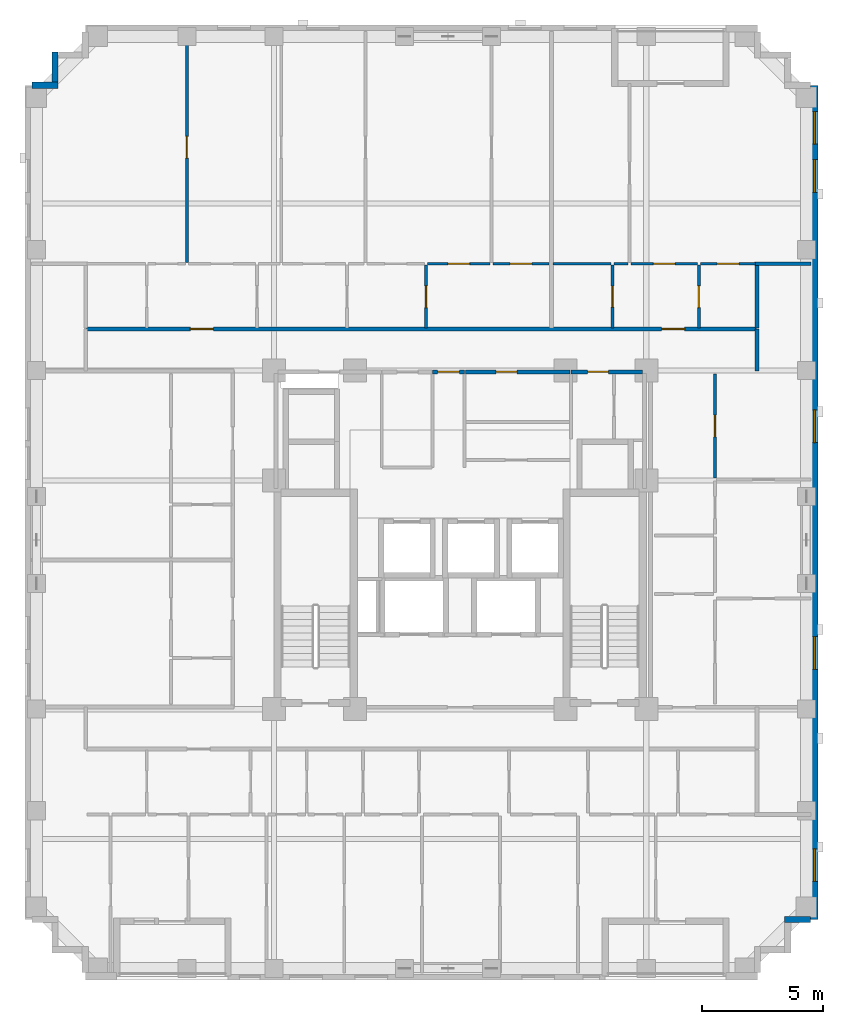
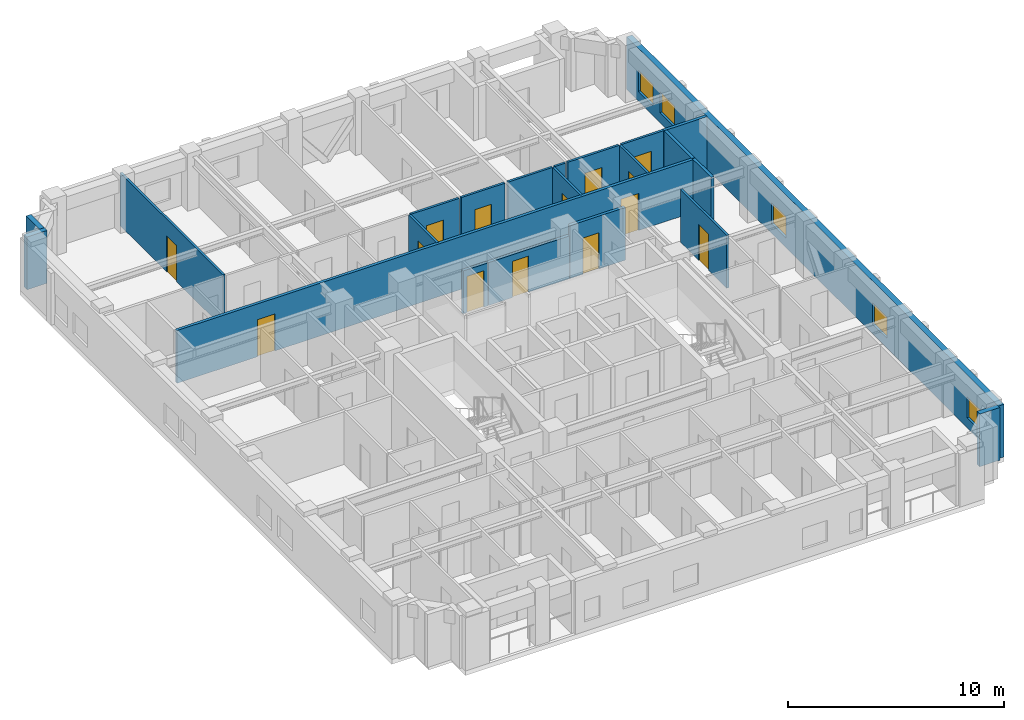
# One storey, part 7 of 12: 22 walls, 14 doors, 5 windows, 19 openings.
"""IFC4 building model written with IfcOpenShell, lengths in metres."""

import ifcopenshell
import ifcopenshell.guid

model = None  # the IFC model being written
_history = None  # IfcOwnerHistory: only IFC2X3 demands one
_inside = {}  # id of a spatial element -> (the spatial element, [elements in it])
_under = {}  # id of a project, library or spatial element -> (it, [spatial elements below it])
_declared = {}  # id of a project -> (the project, [libraries it declares])
_typed = {}  # id of a type object -> (the type object, [elements of that type])
_made_of = {}  # id of a material, layer set ... -> (it, [elements and type objects made of it])


def new_model(schema):
    """Start an empty IFC model of exactly this schema.

    Asked for "IFC4X3", IfcOpenShell would pick the latest addendum, in which some entities
    have other attributes; the version numbers below select the first issue.
    IFC2X3 requires an IfcOwnerHistory on every rooted entity: one is made here for all.
    """
    global model, _history
    if schema == "IFC4X3":
        model = ifcopenshell.file(schema_version=(4, 3, 0, 0))
    else:
        model = ifcopenshell.file(schema=schema)
    _inside.clear()
    _under.clear()
    _declared.clear()
    _typed.clear()
    _made_of.clear()
    _history = None
    if model.schema == "IFC2X3":
        org = make("IfcOrganization", Name="unknown")
        user = make(
            "IfcPersonAndOrganization",
            ThePerson=make("IfcPerson", FamilyName="unknown"),
            TheOrganization=org,
        )
        app = make(
            "IfcApplication",
            ApplicationDeveloper=org,
            Version="unknown",
            ApplicationFullName="unknown",
            ApplicationIdentifier="unknown",
        )
        _history = make(
            "IfcOwnerHistory",
            OwningUser=user,
            OwningApplication=app,
            ChangeAction="ADDED",
            CreationDate=0,
        )
    return model


def make(cls, **values):
    """One entity of the class cls with the attributes given. An attribute that is None is left unset."""
    return model.create_entity(
        cls, **{name: value for name, value in values.items() if value is not None}
    )


def rooted(cls, **values):
    """An entity with a GlobalId (a new one), such as an element, a storey or a relation."""
    return make(cls, GlobalId=ifcopenshell.guid.new(), OwnerHistory=_history, **values)


def si_unit(unit_type, name, prefix=None):
    """IfcSIUnit, for example si_unit("LENGTHUNIT", "METRE", prefix="MILLI")."""
    return make("IfcSIUnit", UnitType=unit_type, Prefix=prefix, Name=name)


def derived_unit(unit_type, elements):
    """IfcDerivedUnit: a product of units, each with its exponent."""
    return make(
        "IfcDerivedUnit",
        Elements=[
            make("IfcDerivedUnitElement", Unit=unit, Exponent=power)
            for unit, power in elements
        ],
        UnitType=unit_type,
    )


def assignment(units):
    """IfcUnitAssignment: the units of a project."""
    return None if units is None else make("IfcUnitAssignment", Units=units)


def point(xyz):
    """IfcCartesianPoint."""
    return None if xyz is None else make("IfcCartesianPoint", Coordinates=xyz)


def direction(xyz):
    """IfcDirection."""
    return None if xyz is None else make("IfcDirection", DirectionRatios=xyz)


def frame(location, z_axis=None, x_axis=None):
    """IfcAxis2Placement3D, a coordinate frame: its origin and axes. An axis left out is left unset."""
    return make(
        "IfcAxis2Placement3D",
        Location=point(location),
        Axis=direction(z_axis),
        RefDirection=direction(x_axis),
    )


def frame_2d(location, x_axis=None):
    """IfcAxis2Placement2D, a coordinate frame in the plane: its origin and x axis."""
    return make(
        "IfcAxis2Placement2D", Location=point(location), RefDirection=direction(x_axis)
    )


def origin():
    """The frame at (0, 0, 0) with its axes left unset."""
    return frame((0.0, 0.0, 0.0))


def place(relative_to, where):
    """IfcLocalPlacement: puts the frame where relative to a parent placement (None: the world)."""
    return make(
        "IfcLocalPlacement", PlacementRelTo=relative_to, RelativePlacement=where
    )


def context(
    kind, dimensions, precision=None, world=None, true_north=None, identifier=None
):
    """IfcGeometricRepresentationContext, for example the 3D "Model" context."""
    return make(
        "IfcGeometricRepresentationContext",
        ContextIdentifier=identifier,
        ContextType=kind,
        CoordinateSpaceDimension=dimensions,
        Precision=precision,
        WorldCoordinateSystem=world,
        TrueNorth=true_north,
    )


def subcontext(parent, identifier, kind, view, scale=None):
    """IfcGeometricRepresentationSubContext, for example "Body" below "Model"."""
    return make(
        "IfcGeometricRepresentationSubContext",
        ContextIdentifier=identifier,
        ContextType=kind,
        ParentContext=parent,
        TargetScale=scale,
        TargetView=view,
    )


def project(units=None, contexts=None):
    """IfcProject with its units and contexts."""
    return rooted(
        "IfcProject",
        Name="project",
        RepresentationContexts=contexts,
        UnitsInContext=assignment(units),
    )


def spatial(cls, under=None, at=None, **own):
    """A site, building, storey or space (cls), placed at a placement, below another one or the project."""
    s = rooted(cls, ObjectPlacement=at, **own)
    if under is not None:
        _under.setdefault(under.id(), (under, []))[1].append(s)
    return s


def profile(cls, at=None, kind="AREA", **sizes):
    """A parametric profile (cls). Its sizes go by their IFC names, for example OverallWidth=200.0."""
    return make(cls, ProfileType=kind, Position=at, **sizes)


def rectangle(**sizes):
    """IfcRectangleProfileDef."""
    return profile("IfcRectangleProfileDef", **sizes)


def extrude(swept, where, along, depth):
    """IfcExtrudedAreaSolid: the profile swept, set in the frame where, extruded along a direction by depth."""
    return make(
        "IfcExtrudedAreaSolid",
        SweptArea=swept,
        Position=where,
        ExtrudedDirection=direction(along),
        Depth=depth,
    )


def shape(context_of_items, identifier, shape_type, items):
    """IfcShapeRepresentation: the items that make up one representation, for example the "Body"."""
    return make(
        "IfcShapeRepresentation",
        ContextOfItems=context_of_items,
        RepresentationIdentifier=identifier,
        RepresentationType=shape_type,
        Items=items,
    )


def material(Name=None, Category=None):
    """IfcMaterial."""
    return make("IfcMaterial", Name=Name, Category=Category)


def layer(
    of_material, thickness, ventilated=None, Name=None, Category=None, Priority=None
):
    """IfcMaterialLayer: one layer of a wall or slab, of a material (None: an air gap)."""
    return make(
        "IfcMaterialLayer",
        Material=of_material,
        LayerThickness=thickness,
        IsVentilated=ventilated,
        Name=Name,
        Category=Category,
        Priority=Priority,
    )


def layer_set(layers, Name=None):
    """IfcMaterialLayerSet."""
    return make("IfcMaterialLayerSet", MaterialLayers=layers, LayerSetName=Name)


def made_of(thing, what):
    """Note that an element or type object is made of a material, layer set ...; save() writes the relation."""
    if what is not None:
        _made_of.setdefault(what.id(), (what, []))[1].append(thing)
    return thing


def type_object(cls, material=None, **own):
    """A type object (cls), such as IfcWallType, which elements share."""
    return made_of(rooted(cls, **own), material)


def element(
    cls,
    number,
    at=None,
    inside=None,
    cuts=None,
    type_object=None,
    material=None,
    context=None,
    identifier="Body",
    shape_type=None,
    held_by="IfcProductDefinitionShape",
    body=None,
    shapes=None,
    **own,
):
    """One element of the class cls, such as IfcWall. Its Tag is "e" and its number.

    at: its placement. inside: the storey or other place that contains it. cuts: it is an
    opening in that element (IfcRelVoidsElement). A single representation is given by context,
    identifier, shape_type and body (its items); several are given by shapes. held_by: the class
    of the entity that holds the representations. save() writes the other relations.
    """
    e = rooted(cls, Tag="e%d" % number, ObjectPlacement=at, **own)
    if body is not None:
        shapes = [shape(context, identifier, shape_type, body)]
    if shapes is not None:
        e.Representation = make(held_by, Representations=shapes)
    if inside is not None:
        _inside.setdefault(inside.id(), (inside, []))[1].append(e)
    if cuts is not None:
        rooted(
            "IfcRelVoidsElement", RelatingBuildingElement=cuts, RelatedOpeningElement=e
        )
    if type_object is not None:
        _typed.setdefault(type_object.id(), (type_object, []))[1].append(e)
    return made_of(e, material)


def fill(opening, filler):
    """IfcRelFillsElement: the door or window that sits in an opening."""
    return rooted(
        "IfcRelFillsElement",
        RelatingOpeningElement=opening,
        RelatedBuildingElement=filler,
    )


def aggregate(whole, parts):
    """IfcRelAggregates: a whole, such as a stair, and the parts it consists of."""
    return rooted("IfcRelAggregates", RelatingObject=whole, RelatedObjects=parts)


def save(model, path):
    """Write the relations noted so far, then the file.

    IfcRelAggregates (storeys below a building ...), IfcRelContainedInSpatialStructure (elements
    in a storey), IfcRelDefinesByType, IfcRelAssociatesMaterial and IfcRelDeclares: one each for
    every whole, place, type object, material and project.
    """
    for whole, parts in _under.values():
        aggregate(whole, parts)
    for where, things in _inside.values():
        rooted(
            "IfcRelContainedInSpatialStructure",
            RelatedElements=things,
            RelatingStructure=where,
        )
    for kind, things in _typed.values():
        rooted("IfcRelDefinesByType", RelatedObjects=things, RelatingType=kind)
    for what, things in _made_of.values():
        rooted("IfcRelAssociatesMaterial", RelatedObjects=things, RelatingMaterial=what)
    for by, libraries in _declared.values():
        rooted("IfcRelDeclares", RelatingContext=by, RelatedDefinitions=libraries)
    model.write(path)


model = new_model("IFC4")

# Units and contexts
model_context = context("Model", 3, precision=1e-05, world=origin(), true_north=direction((0.0, 1.0)))
body_context = subcontext(model_context, "Body", "Model", "MODEL_VIEW")
ifc_project = project(units=[si_unit("LENGTHUNIT", "METRE"), si_unit("AREAUNIT", "SQUARE_METRE"), si_unit("VOLUMEUNIT", "CUBIC_METRE"), si_unit("PLANEANGLEUNIT", "RADIAN"), si_unit("MASSUNIT", "GRAM", prefix="KILO"), derived_unit("THERMALTRANSMITTANCEUNIT", [(si_unit("MASSUNIT", "GRAM", prefix="KILO"), 1), (si_unit("TIMEUNIT", "SECOND"), -3), (si_unit("THERMODYNAMICTEMPERATUREUNIT", "KELVIN"), -1)])], contexts=[model_context])

# Site, building, storey
site_placement = place(None, origin())
site = spatial("IfcSite", under=ifc_project, at=site_placement, CompositionType="ELEMENT")
building_placement = place(site_placement, origin())
building = spatial("IfcBuilding", under=site, at=building_placement, Name="Korrvale Station Residences", CompositionType="ELEMENT")
storey_placement = place(building_placement, frame((0.0, 0.0, 130.89990234375)))
storey = spatial("IfcBuildingStorey", under=building, at=storey_placement, Name="L37", CompositionType="ELEMENT", Elevation=130.89990234375)

# Walls
ifc_material_1 = material(Name="Precast concrete C45/55", Category="concrete")
ifc_layer_1 = layer(ifc_material_1, 0.260009765625, Name="Precast concrete C45/55")
ifc_layer_set_1 = layer_set([ifc_layer_1], Name="Precast concrete C45/55")
wall_type_1 = type_object("IfcWallType", Name="WAL-EXT-LOG260", PredefinedType="SOLIDWALL", material=ifc_layer_set_1)
wall_1_placement = place(storey_placement, frame((7.802001953125, 40.800048828125, 0.0), z_axis=(0.0, 0.0, 1.0), x_axis=(1.0, 0.0, 0.0)))
element("IfcWall", 1, at=wall_1_placement, inside=storey, type_object=wall_type_1, Name="L37 Serrated Corner Precast Step NW-1", PredefinedType="SOLIDWALL", context=body_context, shape_type="SweptSolid", body=[
    extrude(rectangle(XDim=1.077880859375, YDim=0.260009765625, at=frame_2d((0.5390625, 0.0))), origin(), (0.0, 0.0, 1.0), 2.989990234375),
])
wall_2_placement = place(storey_placement, frame((8.75, 40.931884765625, 0.0), z_axis=(0.0, 0.0, 1.0), x_axis=(0.0, 1.0, 0.0)))
element("IfcWall", 2, at=wall_2_placement, inside=storey, type_object=wall_type_1, Name="L37 Serrated Corner Precast Step NW-2", PredefinedType="SOLIDWALL", context=body_context, shape_type="SweptSolid", body=[
    extrude(rectangle(XDim=1.248046875, YDim=0.260009765625, at=frame_2d((0.6240234375, 0.0))), origin(), (0.0, 0.0, 1.0), 2.989990234375),
])
wall_3_placement = place(storey_placement, frame((39.998046875, 6.300048828125, 0.0), z_axis=(0.0, 0.0, 1.0), x_axis=(-1.0, 0.0, 0.0)))
element("IfcWall", 3, at=wall_3_placement, inside=storey, type_object=wall_type_1, Name="L37 Serrated Corner Precast Step SE-1", PredefinedType="SOLIDWALL", context=body_context, shape_type="SweptSolid", body=[
    extrude(rectangle(XDim=1.078125, YDim=0.260009765625, at=frame_2d((0.5390625, 0.0))), origin(), (0.0, 0.0, 1.0), 2.989990234375),
])

# Wall, openings, windows
ifc_layer_2 = layer(ifc_material_1, 0.300048828125, Name="Precast concrete C45/55")
ifc_layer_set_2 = layer_set([ifc_layer_2], Name="Precast concrete C45/55")
wall_type_2 = type_object("IfcWallType", Name="WAL-EXT-PC300", PredefinedType="SOLIDWALL", material=ifc_layer_set_2)
wall_4_placement = place(storey_placement, frame((40.14990234375, 40.800048828125, 0.0), z_axis=(0.0, 0.0, 1.0), x_axis=(0.0, -1.0, 0.0)))
wall_4 = element("IfcWall", 4, at=wall_4_placement, inside=storey, type_object=wall_type_2, Name="L37 East Exterior Precast Wall 1", PredefinedType="SOLIDWALL", context=body_context, shape_type="SweptSolid", body=[
    extrude(rectangle(XDim=34.5, YDim=0.300048828125, at=frame_2d((17.25, 0.0))), origin(), (0.0, 0.0, 1.0), 2.989990234375),
])
opening_1_placement = place(wall_4_placement, frame((31.574951171875, 0.0, 0.550048828125)))
opening_1 = element("IfcOpeningElement", 5, at=opening_1_placement, cuts=wall_4, Name="Opening W-10", PredefinedType="OPENING", context=body_context, shape_type="SweptSolid", body=[
    extrude(rectangle(XDim=1.35009765625, YDim=1.199951171875, at=frame_2d((0.675048828125, 0.60009765625))), frame((0.0, 0.16015625, 0.0), z_axis=(0.0, -1.0, 0.0), x_axis=(1.0, 0.0, 0.0)), (0.0, 0.0, 1.0), 0.320068359375),
])
opening_2_placement = place(wall_4_placement, frame((3.074951171875, 0.0, 0.550048828125)))
opening_2 = element("IfcOpeningElement", 6, at=opening_2_placement, cuts=wall_4, Name="Opening W-10", PredefinedType="OPENING", context=body_context, shape_type="SweptSolid", body=[
    extrude(rectangle(XDim=1.35009765625, YDim=1.199951171875, at=frame_2d((0.675048828125, 0.60009765625))), frame((0.0, 0.16015625, 0.0), z_axis=(0.0, -1.0, 0.0), x_axis=(1.0, 0.0, 0.0)), (0.0, 0.0, 1.0), 0.320068359375),
])
opening_3_placement = place(wall_4_placement, frame((1.0849609375, 0.0, 0.550048828125)))
opening_3 = element("IfcOpeningElement", 7, at=opening_3_placement, cuts=wall_4, Name="Opening W-10", PredefinedType="OPENING", context=body_context, shape_type="SweptSolid", body=[
    extrude(rectangle(XDim=1.35009765625, YDim=1.199951171875, at=frame_2d((0.675048828125, 0.60009765625))), frame((0.0, 0.16015625, 0.0), z_axis=(0.0, -1.0, 0.0), x_axis=(1.0, 0.0, 0.0)), (0.0, 0.0, 1.0), 0.320068359375),
])
opening_4_placement = place(wall_4_placement, frame((22.800048828125, 0.0, 0.550048828125)))
opening_4 = element("IfcOpeningElement", 8, at=opening_4_placement, cuts=wall_4, Name="Opening W-10", PredefinedType="OPENING", context=body_context, shape_type="SweptSolid", body=[
    extrude(rectangle(XDim=1.35009765625, YDim=1.199951171875, at=frame_2d((0.675048828125, 0.60009765625))), frame((0.0, 0.16015625, 0.0), z_axis=(0.0, -1.0, 0.0), x_axis=(1.0, 0.0, 0.0)), (0.0, 0.0, 1.0), 0.320068359375),
])
opening_5_placement = place(wall_4_placement, frame((13.425048828125, 0.0, 0.550048828125)))
opening_5 = element("IfcOpeningElement", 9, at=opening_5_placement, cuts=wall_4, Name="Opening W-10", PredefinedType="OPENING", context=body_context, shape_type="SweptSolid", body=[
    extrude(rectangle(XDim=1.35009765625, YDim=1.199951171875, at=frame_2d((0.675048828125, 0.60009765625))), frame((0.0, 0.16015625, 0.0), z_axis=(0.0, -1.0, 0.0), x_axis=(1.0, 0.0, 0.0)), (0.0, 0.0, 1.0), 0.320068359375),
])
ifc_material_2 = material(Name="Thermally broken aluminium frame with triple low-e glazing", Category="aluminium")
window_type = type_object("IfcWindowType", Name="WIN-W10", PartitioningType="SINGLE_PANEL", PredefinedType="WINDOW", material=ifc_material_2)
window_1_placement = place(opening_1_placement, origin())
window_1 = element("IfcWindow", 10, at=window_1_placement, inside=storey, type_object=window_type, Name="L37 Punched Window 08", OverallHeight=1.199951171875, OverallWidth=1.35009765625, PartitioningType="SINGLE_PANEL", PredefinedType="WINDOW", context=body_context, shape_type="SweptSolid", body=[
    extrude(rectangle(XDim=1.35009765625, YDim=1.199951171875, at=frame_2d((0.675048828125, 0.60009765625))), frame((0.0, 0.030029296875, 0.0), z_axis=(0.0, -1.0, 0.0), x_axis=(1.0, 0.0, 0.0)), (0.0, 0.0, 1.0), 0.06005859375),
])
fill(opening_1, window_1)
window_2_placement = place(opening_2_placement, origin())
window_2 = element("IfcWindow", 11, at=window_2_placement, inside=storey, type_object=window_type, Name="L37 Punched Window 15", OverallHeight=1.199951171875, OverallWidth=1.35009765625, PartitioningType="SINGLE_PANEL", PredefinedType="WINDOW", context=body_context, shape_type="SweptSolid", body=[
    extrude(rectangle(XDim=1.35009765625, YDim=1.199951171875, at=frame_2d((0.675048828125, 0.60009765625))), frame((0.0, 0.030029296875, 0.0), z_axis=(0.0, -1.0, 0.0), x_axis=(1.0, 0.0, 0.0)), (0.0, 0.0, 1.0), 0.06005859375),
])
fill(opening_2, window_2)
window_3_placement = place(opening_3_placement, origin())
window_3 = element("IfcWindow", 12, at=window_3_placement, inside=storey, type_object=window_type, Name="L37 Punched Window 16", OverallHeight=1.199951171875, OverallWidth=1.35009765625, PartitioningType="SINGLE_PANEL", PredefinedType="WINDOW", context=body_context, shape_type="SweptSolid", body=[
    extrude(rectangle(XDim=1.35009765625, YDim=1.199951171875, at=frame_2d((0.675048828125, 0.60009765625))), frame((0.0, 0.030029296875, 0.0), z_axis=(0.0, -1.0, 0.0), x_axis=(1.0, 0.0, 0.0)), (0.0, 0.0, 1.0), 0.06005859375),
])
fill(opening_3, window_3)
window_4_placement = place(opening_4_placement, origin())
window_4 = element("IfcWindow", 13, at=window_4_placement, inside=storey, type_object=window_type, Name="L37 Punched Window 21", OverallHeight=1.199951171875, OverallWidth=1.35009765625, PartitioningType="SINGLE_PANEL", PredefinedType="WINDOW", context=body_context, shape_type="SweptSolid", body=[
    extrude(rectangle(XDim=1.35009765625, YDim=1.199951171875, at=frame_2d((0.675048828125, 0.60009765625))), frame((0.0, 0.030029296875, 0.0), z_axis=(0.0, -1.0, 0.0), x_axis=(1.0, 0.0, 0.0)), (0.0, 0.0, 1.0), 0.06005859375),
])
fill(opening_4, window_4)
window_5_placement = place(opening_5_placement, origin())
window_5 = element("IfcWindow", 14, at=window_5_placement, inside=storey, type_object=window_type, Name="L37 Punched Window 22", OverallHeight=1.199951171875, OverallWidth=1.35009765625, PartitioningType="SINGLE_PANEL", PredefinedType="WINDOW", context=body_context, shape_type="SweptSolid", body=[
    extrude(rectangle(XDim=1.35009765625, YDim=1.199951171875, at=frame_2d((0.675048828125, 0.60009765625))), frame((0.0, 0.030029296875, 0.0), z_axis=(0.0, -1.0, 0.0), x_axis=(1.0, 0.0, 0.0)), (0.0, 0.0, 1.0), 0.06005859375),
])
fill(opening_5, window_5)

# Wall, opening, door
ifc_material_3 = material(Name="Acoustic steel-stud gypsum board partition", Category="steel")
ifc_layer_3 = layer(ifc_material_3, 0.1201171875, Name="Acoustic steel-stud gypsum board partition")
ifc_layer_set_3 = layer_set([ifc_layer_3], Name="Acoustic steel-stud gypsum board partition")
wall_type_3 = type_object("IfcWallType", Name="WAL-PART-125", PredefinedType="PARTITIONING", material=ifc_layer_set_3)
wall_5_placement = place(storey_placement, frame((24.090087890625, 30.760009765625, 0.0), z_axis=(0.0, 0.0, 1.0), x_axis=(0.0, 1.0, 0.0)))
wall_5 = element("IfcWall", 15, at=wall_5_placement, inside=storey, type_object=wall_type_3, Name="L37 Suite Partition U02-V34", PredefinedType="PARTITIONING", context=body_context, shape_type="SweptSolid", body=[
    extrude(rectangle(XDim=2.60009765625, YDim=0.1201171875, at=frame_2d((1.300048828125, 0.0))), origin(), (0.0, 0.0, 1.0), 2.989990234375),
])
opening_6_placement = place(wall_5_placement, frame((0.85009765625, 0.0, 0.0)))
opening_6 = element("IfcOpeningElement", 16, at=opening_6_placement, cuts=wall_5, Name="Opening DI-900", PredefinedType="OPENING", context=body_context, shape_type="SweptSolid", body=[
    extrude(rectangle(XDim=0.89990234375, YDim=2.050048828125, at=frame_2d((0.449951171875, 1.02490234375))), frame((0.0, 0.070068359375, 0.0), z_axis=(0.0, -1.0, 0.0), x_axis=(1.0, 0.0, 0.0)), (0.0, 0.0, 1.0), 0.14013671875),
])
ifc_material_4 = material(Name="Painted solid-core timber interior room door", Category="wood")
door_type_1 = type_object("IfcDoorType", Name="DR-INT-900", OperationType="NOTDEFINED", PredefinedType="DOOR", material=ifc_material_4)
door_1_placement = place(opening_6_placement, origin())
door_1 = element("IfcDoor", 17, at=door_1_placement, inside=storey, type_object=door_type_1, Name="L37 Apartment 1BR L37-U02 Storage Closet 2 Door", OperationType="SINGLE_SWING_RIGHT", OverallHeight=2.050048828125, OverallWidth=0.89990234375, PredefinedType="DOOR", context=body_context, shape_type="SweptSolid", body=[
    extrude(rectangle(XDim=0.89990234375, YDim=2.050048828125, at=frame_2d((0.449951171875, 1.02490234375))), frame((0.0, 0.02490234375, 0.0), z_axis=(0.0, -1.0, 0.0), x_axis=(1.0, 0.0, 0.0)), (0.0, 0.0, 1.0), 0.050048828125),
])
fill(opening_6, door_1)

wall_6_placement = place(storey_placement, frame((24.14990234375, 33.419921875, 0.0), z_axis=(0.0, 0.0, 1.0), x_axis=(1.0, 0.0, 0.0)))
wall_6 = element("IfcWall", 18, at=wall_6_placement, inside=storey, type_object=wall_type_3, Name="L37 Suite Partition U02-H48", PredefinedType="PARTITIONING", context=body_context, shape_type="SweptSolid", body=[
    extrude(rectangle(XDim=2.590087890625, YDim=0.1201171875, at=frame_2d((1.294921875, 0.0))), origin(), (0.0, 0.0, 1.0), 2.989990234375),
])
opening_7_placement = place(wall_6_placement, frame((0.844970703125, 0.0, 0.0)))
opening_7 = element("IfcOpeningElement", 19, at=opening_7_placement, cuts=wall_6, Name="Opening DI-900", PredefinedType="OPENING", context=body_context, shape_type="SweptSolid", body=[
    extrude(rectangle(XDim=0.89990234375, YDim=2.050048828125, at=frame_2d((0.449951171875, 1.02490234375))), frame((0.0, 0.070068359375, 0.0), z_axis=(0.0, -1.0, 0.0), x_axis=(1.0, 0.0, 0.0)), (0.0, 0.0, 1.0), 0.14013671875),
])
door_2_placement = place(opening_7_placement, origin())
door_2 = element("IfcDoor", 20, at=door_2_placement, inside=storey, type_object=door_type_1, Name="L37 Apartment 1BR L37-U02 Storage Closet 3 Door", OperationType="SINGLE_SWING_RIGHT", OverallHeight=2.050048828125, OverallWidth=0.89990234375, PredefinedType="DOOR", context=body_context, shape_type="SweptSolid", body=[
    extrude(rectangle(XDim=0.89990234375, YDim=2.050048828125, at=frame_2d((0.449951171875, 1.02490234375))), frame((0.0, 0.02490234375, 0.0), z_axis=(0.0, -1.0, 0.0), x_axis=(1.0, 0.0, 0.0)), (0.0, 0.0, 1.0), 0.050048828125),
])
fill(opening_7, door_2)

wall_7_placement = place(storey_placement, frame((26.860107421875, 33.419921875, 0.0), z_axis=(0.0, 0.0, 1.0), x_axis=(1.0, 0.0, 0.0)))
wall_7 = element("IfcWall", 21, at=wall_7_placement, inside=storey, type_object=wall_type_3, Name="L37 Suite Partition U02-H49", PredefinedType="PARTITIONING", context=body_context, shape_type="SweptSolid", body=[
    extrude(rectangle(XDim=2.322998046875, YDim=0.1201171875, at=frame_2d((1.16162109375, 0.0))), origin(), (0.0, 0.0, 1.0), 2.989990234375),
])
opening_8_placement = place(wall_7_placement, frame((0.7119140625, 0.0, 0.0)))
opening_8 = element("IfcOpeningElement", 22, at=opening_8_placement, cuts=wall_7, Name="Opening DI-900", PredefinedType="OPENING", context=body_context, shape_type="SweptSolid", body=[
    extrude(rectangle(XDim=0.89990234375, YDim=2.050048828125, at=frame_2d((0.449951171875, 1.02490234375))), frame((0.0, 0.070068359375, 0.0), z_axis=(0.0, -1.0, 0.0), x_axis=(1.0, 0.0, 0.0)), (0.0, 0.0, 1.0), 0.14013671875),
])
door_3_placement = place(opening_8_placement, origin())
door_3 = element("IfcDoor", 23, at=door_3_placement, inside=storey, type_object=door_type_1, Name="L37 Apartment 1BR L37-U02 Storage Closet 3 Door", OperationType="SINGLE_SWING_LEFT", OverallHeight=2.050048828125, OverallWidth=0.89990234375, PredefinedType="DOOR", context=body_context, shape_type="SweptSolid", body=[
    extrude(rectangle(XDim=0.89990234375, YDim=2.050048828125, at=frame_2d((0.449951171875, 1.02490234375))), frame((0.0, 0.02490234375, 0.0), z_axis=(0.0, -1.0, 0.0), x_axis=(1.0, 0.0, 0.0)), (0.0, 0.0, 1.0), 0.050048828125),
])
fill(opening_8, door_3)

wall_8_placement = place(storey_placement, frame((14.199951171875, 33.47998046875, 0.0), z_axis=(0.0, 0.0, 1.0), x_axis=(0.0, 1.0, 0.0)))
wall_8 = element("IfcWall", 24, at=wall_8_placement, inside=storey, type_object=wall_type_3, Name="L37 Suite Partition U02-V56", PredefinedType="PARTITIONING", context=body_context, shape_type="SweptSolid", body=[
    extrude(rectangle(XDim=9.5400390625, YDim=0.1201171875, at=frame_2d((4.77001953125, 0.0))), origin(), (0.0, 0.0, 1.0), 2.989990234375),
])
opening_9_placement = place(wall_8_placement, frame((4.304931640625, 0.0, 0.0)))
opening_9 = element("IfcOpeningElement", 25, at=opening_9_placement, cuts=wall_8, Name="Opening DI-900", PredefinedType="OPENING", context=body_context, shape_type="SweptSolid", body=[
    extrude(rectangle(XDim=0.89990234375, YDim=2.050048828125, at=frame_2d((0.449951171875, 1.02490234375))), frame((0.0, 0.070068359375, 0.0), z_axis=(0.0, -1.0, 0.0), x_axis=(1.0, 0.0, 0.0)), (0.0, 0.0, 1.0), 0.14013671875),
])
door_4_placement = place(opening_9_placement, origin())
door_4 = element("IfcDoor", 26, at=door_4_placement, inside=storey, type_object=door_type_1, Name="L37 Apartment 1BR L37-U02 Living and Dining Room Door", OperationType="SINGLE_SWING_RIGHT", OverallHeight=2.050048828125, OverallWidth=0.89990234375, PredefinedType="DOOR", context=body_context, shape_type="SweptSolid", body=[
    extrude(rectangle(XDim=0.89990234375, YDim=2.050048828125, at=frame_2d((0.449951171875, 1.02490234375))), frame((0.0, 0.02490234375, 0.0), z_axis=(0.0, -1.0, 0.0), x_axis=(1.0, 0.0, 0.0)), (0.0, 0.0, 1.0), 0.050048828125),
])
fill(opening_9, door_4)

wall_9_placement = place(storey_placement, frame((31.802978515625, 30.760009765625, 0.0), z_axis=(0.0, 0.0, 1.0), x_axis=(0.0, 1.0, 0.0)))
wall_9 = element("IfcWall", 27, at=wall_9_placement, inside=storey, type_object=wall_type_3, Name="L37 Suite Partition U03-V01", PredefinedType="PARTITIONING", context=body_context, shape_type="SweptSolid", body=[
    extrude(rectangle(XDim=2.60009765625, YDim=0.1201171875, at=frame_2d((1.300048828125, 0.0))), origin(), (0.0, 0.0, 1.0), 2.989990234375),
])
opening_10_placement = place(wall_9_placement, frame((0.8701171875, 0.0, 0.0)))
opening_10 = element("IfcOpeningElement", 28, at=opening_10_placement, cuts=wall_9, Name="Opening DB-860", PredefinedType="OPENING", context=body_context, shape_type="SweptSolid", body=[
    extrude(rectangle(XDim=0.860107421875, YDim=2.050048828125, at=frame_2d((0.43017578125, 1.02490234375))), frame((0.0, 0.070068359375, 0.0), z_axis=(0.0, -1.0, 0.0), x_axis=(1.0, 0.0, 0.0)), (0.0, 0.0, 1.0), 0.14013671875),
])
ifc_material_5 = material(Name="Moisture-resistant solid-core bathroom door", Category="timber")
door_type_2 = type_object("IfcDoorType", Name="DR-BATH-860", OperationType="NOTDEFINED", PredefinedType="DOOR", material=ifc_material_5)
door_5_placement = place(opening_10_placement, origin())
door_5 = element("IfcDoor", 29, at=door_5_placement, inside=storey, type_object=door_type_2, Name="L37 Studio Apartment L37-U03 Bathroom Door", OperationType="SINGLE_SWING_RIGHT", OverallHeight=2.050048828125, OverallWidth=0.860107421875, PredefinedType="DOOR", context=body_context, shape_type="SweptSolid", body=[
    extrude(rectangle(XDim=0.860107421875, YDim=2.050048828125, at=frame_2d((0.43017578125, 1.02490234375))), frame((0.0, 0.02490234375, 0.0), z_axis=(0.0, -1.0, 0.0), x_axis=(1.0, 0.0, 0.0)), (0.0, 0.0, 1.0), 0.050048828125),
])
fill(opening_10, door_5)

# Wall
wall_10_placement = place(storey_placement, frame((29.343017578125, 33.419921875, 0.0), z_axis=(0.0, 0.0, 1.0), x_axis=(1.0, 0.0, 0.0)))
element("IfcWall", 30, at=wall_10_placement, inside=storey, type_object=wall_type_3, Name="L37 Suite Partition U03-H03", PredefinedType="PARTITIONING", context=body_context, shape_type="SweptSolid", body=[
    extrude(rectangle(XDim=2.39990234375, YDim=0.1201171875, at=frame_2d((1.199951171875, 0.0))), origin(), (0.0, 0.0, 1.0), 2.989990234375),
])

# Wall, opening, door
wall_11_placement = place(storey_placement, frame((35.373046875, 30.760009765625, 0.0), z_axis=(0.0, 0.0, 1.0), x_axis=(0.0, 1.0, 0.0)))
wall_11 = element("IfcWall", 31, at=wall_11_placement, inside=storey, type_object=wall_type_3, Name="L37 Suite Partition U03-V12", PredefinedType="PARTITIONING", context=body_context, shape_type="SweptSolid", body=[
    extrude(rectangle(XDim=2.60009765625, YDim=0.1201171875, at=frame_2d((1.300048828125, 0.0))), origin(), (0.0, 0.0, 1.0), 2.989990234375),
])
opening_11_placement = place(wall_11_placement, frame((0.85009765625, 0.0, 0.0)))
opening_11 = element("IfcOpeningElement", 32, at=opening_11_placement, cuts=wall_11, Name="Opening DI-900", PredefinedType="OPENING", context=body_context, shape_type="SweptSolid", body=[
    extrude(rectangle(XDim=0.89990234375, YDim=2.050048828125, at=frame_2d((0.449951171875, 1.02490234375))), frame((0.0, 0.070068359375, 0.0), z_axis=(0.0, -1.0, 0.0), x_axis=(1.0, 0.0, 0.0)), (0.0, 0.0, 1.0), 0.14013671875),
])
door_6_placement = place(opening_11_placement, origin())
door_6 = element("IfcDoor", 33, at=door_6_placement, inside=storey, type_object=door_type_1, Name="L37 Studio Apartment L37-U03 Kitchen Door", OperationType="SINGLE_SWING_LEFT", OverallHeight=2.050048828125, OverallWidth=0.89990234375, PredefinedType="DOOR", context=body_context, shape_type="SweptSolid", body=[
    extrude(rectangle(XDim=0.89990234375, YDim=2.050048828125, at=frame_2d((0.449951171875, 1.02490234375))), frame((0.0, 0.02490234375, 0.0), z_axis=(0.0, -1.0, 0.0), x_axis=(1.0, 0.0, 0.0)), (0.0, 0.0, 1.0), 0.050048828125),
])
fill(opening_11, door_6)

# Wall
wall_12_placement = place(storey_placement, frame((31.863037109375, 33.419921875, 0.0), z_axis=(0.0, 0.0, 1.0), x_axis=(1.0, 0.0, 0.0)))
element("IfcWall", 34, at=wall_12_placement, inside=storey, type_object=wall_type_3, Name="L37 Suite Partition U03-H13", PredefinedType="PARTITIONING", context=body_context, shape_type="SweptSolid", body=[
    extrude(rectangle(XDim=0.580078125, YDim=0.1201171875, at=frame_2d((0.2900390625, 0.0))), origin(), (0.0, 0.0, 1.0), 2.989990234375),
])

# Wall, opening, door
wall_13_placement = place(storey_placement, frame((32.56298828125, 33.419921875, 0.0), z_axis=(0.0, 0.0, 1.0), x_axis=(1.0, 0.0, 0.0)))
wall_13 = element("IfcWall", 35, at=wall_13_placement, inside=storey, type_object=wall_type_3, Name="L37 Suite Partition U03-H14", PredefinedType="PARTITIONING", context=body_context, shape_type="SweptSolid", body=[
    extrude(rectangle(XDim=2.75, YDim=0.1201171875, at=frame_2d((1.375, 0.0))), origin(), (0.0, 0.0, 1.0), 2.989990234375),
])
opening_12_placement = place(wall_13_placement, frame((0.925048828125, 0.0, 0.0)))
opening_12 = element("IfcOpeningElement", 36, at=opening_12_placement, cuts=wall_13, Name="Opening DI-900", PredefinedType="OPENING", context=body_context, shape_type="SweptSolid", body=[
    extrude(rectangle(XDim=0.89990234375, YDim=2.050048828125, at=frame_2d((0.449951171875, 1.02490234375))), frame((0.0, 0.070068359375, 0.0), z_axis=(0.0, -1.0, 0.0), x_axis=(1.0, 0.0, 0.0)), (0.0, 0.0, 1.0), 0.14013671875),
])
door_7_placement = place(opening_12_placement, origin())
door_7 = element("IfcDoor", 37, at=door_7_placement, inside=storey, type_object=door_type_1, Name="L37 Studio Apartment L37-U03 Kitchen Door", OperationType="SINGLE_SWING_RIGHT", OverallHeight=2.050048828125, OverallWidth=0.89990234375, PredefinedType="DOOR", context=body_context, shape_type="SweptSolid", body=[
    extrude(rectangle(XDim=0.89990234375, YDim=2.050048828125, at=frame_2d((0.449951171875, 1.02490234375))), frame((0.0, 0.02490234375, 0.0), z_axis=(0.0, -1.0, 0.0), x_axis=(1.0, 0.0, 0.0)), (0.0, 0.0, 1.0), 0.050048828125),
])
fill(opening_12, door_7)

wall_14_placement = place(storey_placement, frame((35.43310546875, 33.419921875, 0.0), z_axis=(0.0, 0.0, 1.0), x_axis=(1.0, 0.0, 0.0)))
wall_14 = element("IfcWall", 38, at=wall_14_placement, inside=storey, type_object=wall_type_3, Name="L37 Suite Partition U03-H24", PredefinedType="PARTITIONING", context=body_context, shape_type="SweptSolid", body=[
    extrude(rectangle(XDim=2.286865234375, YDim=0.1201171875, at=frame_2d((1.1435546875, 0.0))), origin(), (0.0, 0.0, 1.0), 2.989990234375),
])
opening_13_placement = place(wall_14_placement, frame((0.693115234375, 0.0, 0.0)))
opening_13 = element("IfcOpeningElement", 39, at=opening_13_placement, cuts=wall_14, Name="Opening DI-900", PredefinedType="OPENING", context=body_context, shape_type="SweptSolid", body=[
    extrude(rectangle(XDim=0.89990234375, YDim=2.050048828125, at=frame_2d((0.449951171875, 1.02490234375))), frame((0.0, 0.070068359375, 0.0), z_axis=(0.0, -1.0, 0.0), x_axis=(1.0, 0.0, 0.0)), (0.0, 0.0, 1.0), 0.14013671875),
])
door_8_placement = place(opening_13_placement, origin())
door_8 = element("IfcDoor", 40, at=door_8_placement, inside=storey, type_object=door_type_1, Name="L37 Studio Apartment L37-U03 Utility and Laundry Room Door", OperationType="SINGLE_SWING_LEFT", OverallHeight=2.050048828125, OverallWidth=0.89990234375, PredefinedType="DOOR", context=body_context, shape_type="SweptSolid", body=[
    extrude(rectangle(XDim=0.89990234375, YDim=2.050048828125, at=frame_2d((0.449951171875, 1.02490234375))), frame((0.0, 0.02490234375, 0.0), z_axis=(0.0, -1.0, 0.0), x_axis=(1.0, 0.0, 0.0)), (0.0, 0.0, 1.0), 0.050048828125),
])
fill(opening_13, door_8)

wall_15_placement = place(storey_placement, frame((36.0400390625, 24.552001953125, 0.0), z_axis=(0.0, 0.0, 1.0), x_axis=(0.0, 1.0, 0.0)))
wall_15 = element("IfcWall", 41, at=wall_15_placement, inside=storey, type_object=wall_type_3, Name="L37 Suite Partition U06-V05", PredefinedType="PARTITIONING", context=body_context, shape_type="SweptSolid", body=[
    extrude(rectangle(XDim=4.30810546875, YDim=0.1201171875, at=frame_2d((2.154052734375, 0.0))), origin(), (0.0, 0.0, 1.0), 2.989990234375),
])
opening_14_placement = place(wall_15_placement, frame((1.7041015625, 0.0, 0.0)))
opening_14 = element("IfcOpeningElement", 42, at=opening_14_placement, cuts=wall_15, Name="Opening DI-900", PredefinedType="OPENING", context=body_context, shape_type="SweptSolid", body=[
    extrude(rectangle(XDim=0.89990234375, YDim=2.050048828125, at=frame_2d((0.449951171875, 1.02490234375))), frame((0.0, 0.070068359375, 0.0), z_axis=(0.0, -1.0, 0.0), x_axis=(1.0, 0.0, 0.0)), (0.0, 0.0, 1.0), 0.14013671875),
])
door_9_placement = place(opening_14_placement, origin())
door_9 = element("IfcDoor", 43, at=door_9_placement, inside=storey, type_object=door_type_1, Name="L37 Apartment 2BR L37-U06 Wardrobe Storage Room Door", OperationType="SINGLE_SWING_LEFT", OverallHeight=2.050048828125, OverallWidth=0.89990234375, PredefinedType="DOOR", context=body_context, shape_type="SweptSolid", body=[
    extrude(rectangle(XDim=0.89990234375, YDim=2.050048828125, at=frame_2d((0.449951171875, 1.02490234375))), frame((0.0, 0.02490234375, 0.0), z_axis=(0.0, -1.0, 0.0), x_axis=(1.0, 0.0, 0.0)), (0.0, 0.0, 1.0), 0.050048828125),
])
fill(opening_14, door_9)

ifc_material_6 = material(Name="Fire-rated twin-stud gypsum and mineral wool shaftwall assembly", Category="gypsum")
ifc_layer_4 = layer(ifc_material_6, 0.159912109375, Name="Fire-rated twin-stud gypsum and mineral wool shaftwall assembly")
ifc_layer_set_4 = layer_set([ifc_layer_4], Name="Fire-rated twin-stud gypsum and mineral wool shaftwall assembly")
wall_type_4 = type_object("IfcWallType", Name="WAL-PART-200", PredefinedType="PARTITIONING", material=ifc_layer_set_4)
wall_16_placement = place(storey_placement, frame((24.360107421875, 28.949951171875, 0.0), z_axis=(0.0, 0.0, 1.0), x_axis=(1.0, 0.0, 0.0)))
wall_16 = element("IfcWall", 44, at=wall_16_placement, inside=storey, type_object=wall_type_4, Name="L37 Core Partition CW-LLOB-N", PredefinedType="PARTITIONING", context=body_context, shape_type="SweptSolid", body=[
    extrude(rectangle(XDim=1.31982421875, YDim=0.159912109375, at=frame_2d((0.659912109375, 0.0))), origin(), (0.0, 0.0, 1.0), 2.426025390625),
])
opening_15_placement = place(wall_16_placement, frame((0.2099609375, 0.0, 0.0)))
opening_15 = element("IfcOpeningElement", 45, at=opening_15_placement, cuts=wall_16, Name="Opening DI-900", PredefinedType="OPENING", context=body_context, shape_type="SweptSolid", body=[
    extrude(rectangle(XDim=0.89990234375, YDim=2.050048828125, at=frame_2d((0.449951171875, 1.02490234375))), frame((0.0, 0.08984375, 0.0), z_axis=(0.0, -1.0, 0.0), x_axis=(1.0, 0.0, 0.0)), (0.0, 0.0, 1.0), 0.179931640625),
])
door_10_placement = place(opening_15_placement, origin())
door_10 = element("IfcDoor", 46, at=door_10_placement, inside=storey, type_object=door_type_1, Name="L37 Central Hallway North Passage Door", OperationType="SINGLE_SWING_RIGHT", OverallHeight=2.050048828125, OverallWidth=0.89990234375, PredefinedType="DOOR", context=body_context, shape_type="SweptSolid", body=[
    extrude(rectangle(XDim=0.89990234375, YDim=2.050048828125, at=frame_2d((0.449951171875, 1.02490234375))), frame((0.0, 0.02490234375, 0.0), z_axis=(0.0, -1.0, 0.0), x_axis=(1.0, 0.0, 0.0)), (0.0, 0.0, 1.0), 0.050048828125),
])
fill(opening_15, door_10)

wall_17_placement = place(storey_placement, frame((30.080078125, 28.949951171875, 0.0), z_axis=(0.0, 0.0, 1.0), x_axis=(1.0, 0.0, 0.0)))
wall_17 = element("IfcWall", 47, at=wall_17_placement, inside=storey, type_object=wall_type_4, Name="L37 Core Partition CW-CS-N", PredefinedType="PARTITIONING", context=body_context, shape_type="SweptSolid", body=[
    extrude(rectangle(XDim=2.9599609375, YDim=0.159912109375, at=frame_2d((1.47998046875, 0.0))), origin(), (0.0, 0.0, 1.0), 2.989990234375),
])
opening_16_placement = place(wall_17_placement, frame((0.695068359375, 0.0, 0.0)))
opening_16 = element("IfcOpeningElement", 48, at=opening_16_placement, cuts=wall_17, Name="Opening DB-860", PredefinedType="OPENING", context=body_context, shape_type="SweptSolid", body=[
    extrude(rectangle(XDim=0.860107421875, YDim=2.050048828125, at=frame_2d((0.43017578125, 1.02490234375))), frame((0.0, 0.08984375, 0.0), z_axis=(0.0, -1.0, 0.0), x_axis=(1.0, 0.0, 0.0)), (0.0, 0.0, 1.0), 0.179931640625),
])
door_11_placement = place(opening_16_placement, origin())
door_11 = element("IfcDoor", 49, at=door_11_placement, inside=storey, type_object=door_type_2, Name="L37 Housekeeping Supply Door", OperationType="SINGLE_SWING_LEFT", OverallHeight=2.050048828125, OverallWidth=0.860107421875, PredefinedType="DOOR", context=body_context, shape_type="SweptSolid", body=[
    extrude(rectangle(XDim=0.860107421875, YDim=2.050048828125, at=frame_2d((0.43017578125, 1.02490234375))), frame((0.0, 0.02490234375, 0.0), z_axis=(0.0, -1.0, 0.0), x_axis=(1.0, 0.0, 0.0)), (0.0, 0.0, 1.0), 0.050048828125),
])
fill(opening_16, door_11)

wall_18_placement = place(storey_placement, frame((25.719970703125, 28.949951171875, 0.0), z_axis=(0.0, 0.0, 1.0), x_axis=(1.0, 0.0, 0.0)))
wall_18 = element("IfcWall", 50, at=wall_18_placement, inside=storey, type_object=wall_type_4, Name="L37 Core Partition CW-FPLE-N", PredefinedType="PARTITIONING", context=body_context, shape_type="SweptSolid", body=[
    extrude(rectangle(XDim=4.320068359375, YDim=0.159912109375, at=frame_2d((2.16015625, 0.0))), origin(), (0.0, 0.0, 1.0), 2.426025390625),
])
opening_17_placement = place(wall_18_placement, frame((1.27001953125, 0.0, 0.0)))
opening_17 = element("IfcOpeningElement", 51, at=opening_17_placement, cuts=wall_18, Name="Opening DB-860", PredefinedType="OPENING", context=body_context, shape_type="SweptSolid", body=[
    extrude(rectangle(XDim=0.860107421875, YDim=2.050048828125, at=frame_2d((0.43017578125, 1.02490234375))), frame((0.0, 0.08984375, 0.0), z_axis=(0.0, -1.0, 0.0), x_axis=(1.0, 0.0, 0.0)), (0.0, 0.0, 1.0), 0.179931640625),
])
door_12_placement = place(opening_17_placement, origin())
door_12 = element("IfcDoor", 52, at=door_12_placement, inside=storey, type_object=door_type_2, Name="L37 Luggage Store Door", OperationType="SINGLE_SWING_RIGHT", OverallHeight=2.050048828125, OverallWidth=0.860107421875, PredefinedType="DOOR", context=body_context, shape_type="SweptSolid", body=[
    extrude(rectangle(XDim=0.860107421875, YDim=2.050048828125, at=frame_2d((0.43017578125, 1.02490234375))), frame((0.0, 0.02490234375, 0.0), z_axis=(0.0, -1.0, 0.0), x_axis=(1.0, 0.0, 0.0)), (0.0, 0.0, 1.0), 0.050048828125),
])
fill(opening_17, door_12)

# Walls
wall_19_placement = place(storey_placement, frame((37.780029296875, 28.97998046875, 0.0), z_axis=(0.0, 0.0, 1.0), x_axis=(0.0, 1.0, 0.0)))
element("IfcWall", 53, at=wall_19_placement, inside=storey, type_object=wall_type_4, Name="L37 Corridor North East Cap", PredefinedType="PARTITIONING", context=body_context, shape_type="SweptSolid", body=[
    extrude(rectangle(XDim=1.739990234375, YDim=0.159912109375, at=frame_2d((0.8701171875, 0.0))), origin(), (0.0, 0.0, 1.0), 2.989990234375),
])
wall_20_placement = place(storey_placement, frame((37.679931640625, 33.419921875, 0.0), z_axis=(0.0, 0.0, 1.0), x_axis=(1.0, 0.0, 0.0)))
element("IfcWall", 54, at=wall_20_placement, inside=storey, type_object=wall_type_4, Name="L37 Corner Step Wall U03-R", PredefinedType="PARTITIONING", context=body_context, shape_type="SweptSolid", body=[
    extrude(rectangle(XDim=2.340087890625, YDim=0.159912109375, at=frame_2d((1.169921875, 0.0))), origin(), (0.0, 0.0, 1.0), 2.989990234375),
])
wall_21_placement = place(storey_placement, frame((37.780029296875, 30.760009765625, 0.0), z_axis=(0.0, 0.0, 1.0), x_axis=(0.0, 1.0, 0.0)))
element("IfcWall", 55, at=wall_21_placement, inside=storey, type_object=wall_type_4, Name="L37 Corner Step Cheek U03-R", PredefinedType="PARTITIONING", context=body_context, shape_type="SweptSolid", body=[
    extrude(rectangle(XDim=2.659912109375, YDim=0.159912109375, at=frame_2d((1.330078125, 0.0))), origin(), (0.0, 0.0, 1.0), 2.989990234375),
])

# Wall, openings, doors
wall_22_placement = place(storey_placement, frame((10.050048828125, 30.719970703125, 0.0), z_axis=(0.0, 0.0, 1.0), x_axis=(1.0, 0.0, 0.0)))
wall_22 = element("IfcWall", 56, at=wall_22_placement, inside=storey, type_object=wall_type_4, Name="L37 Rated Corridor Wall N", PredefinedType="PARTITIONING", context=body_context, shape_type="SweptSolid", body=[
    extrude(rectangle(XDim=27.699951171875, YDim=0.159912109375, at=frame_2d((13.85009765625, 0.0))), origin(), (0.0, 0.0, 1.0), 2.989990234375),
])
opening_18_placement = place(wall_22_placement, frame((4.294921875, 0.0, 0.0)))
opening_18 = element("IfcOpeningElement", 57, at=opening_18_placement, cuts=wall_22, Name="Opening UD-950", PredefinedType="OPENING", context=body_context, shape_type="SweptSolid", body=[
    extrude(rectangle(XDim=0.949951171875, YDim=2.10009765625, at=frame_2d((0.47509765625, 1.050048828125))), frame((0.0, 0.08984375, 0.0), z_axis=(0.0, -1.0, 0.0), x_axis=(1.0, 0.0, 0.0)), (0.0, 0.0, 1.0), 0.179931640625),
])
opening_19_placement = place(wall_22_placement, frame((23.784912109375, 0.0, 0.0)))
opening_19 = element("IfcOpeningElement", 58, at=opening_19_placement, cuts=wall_22, Name="Opening UD-950", PredefinedType="OPENING", context=body_context, shape_type="SweptSolid", body=[
    extrude(rectangle(XDim=0.949951171875, YDim=2.10009765625, at=frame_2d((0.47509765625, 1.050048828125))), frame((0.0, 0.08984375, 0.0), z_axis=(0.0, -1.0, 0.0), x_axis=(1.0, 0.0, 0.0)), (0.0, 0.0, 1.0), 0.179931640625),
])
ifc_material_7 = material(Name="Solid-core acoustic oak apartment entrance door", Category="timber")
door_type_3 = type_object("IfcDoorType", Name="DR-UNIT-950", OperationType="NOTDEFINED", PredefinedType="DOOR", material=ifc_material_7)
door_13_placement = place(opening_18_placement, origin())
door_13 = element("IfcDoor", 59, at=door_13_placement, inside=storey, type_object=door_type_3, Name="L37 Apartment L37-U02 Entrance Door", OperationType="SINGLE_SWING_LEFT", OverallHeight=2.10009765625, OverallWidth=0.949951171875, PredefinedType="DOOR", context=body_context, shape_type="SweptSolid", body=[
    extrude(rectangle(XDim=0.949951171875, YDim=2.10009765625, at=frame_2d((0.47509765625, 1.050048828125))), frame((0.0, 0.02490234375, 0.0), z_axis=(0.0, -1.0, 0.0), x_axis=(1.0, 0.0, 0.0)), (0.0, 0.0, 1.0), 0.050048828125),
])
fill(opening_18, door_13)
door_14_placement = place(opening_19_placement, origin())
door_14 = element("IfcDoor", 60, at=door_14_placement, inside=storey, type_object=door_type_3, Name="L37 Apartment L37-U03 Entrance Door", OperationType="SINGLE_SWING_RIGHT", OverallHeight=2.10009765625, OverallWidth=0.949951171875, PredefinedType="DOOR", context=body_context, shape_type="SweptSolid", body=[
    extrude(rectangle(XDim=0.949951171875, YDim=2.10009765625, at=frame_2d((0.47509765625, 1.050048828125))), frame((0.0, 0.02490234375, 0.0), z_axis=(0.0, -1.0, 0.0), x_axis=(1.0, 0.0, 0.0)), (0.0, 0.0, 1.0), 0.050048828125),
])
fill(opening_19, door_14)

save(model, "model.ifc")
